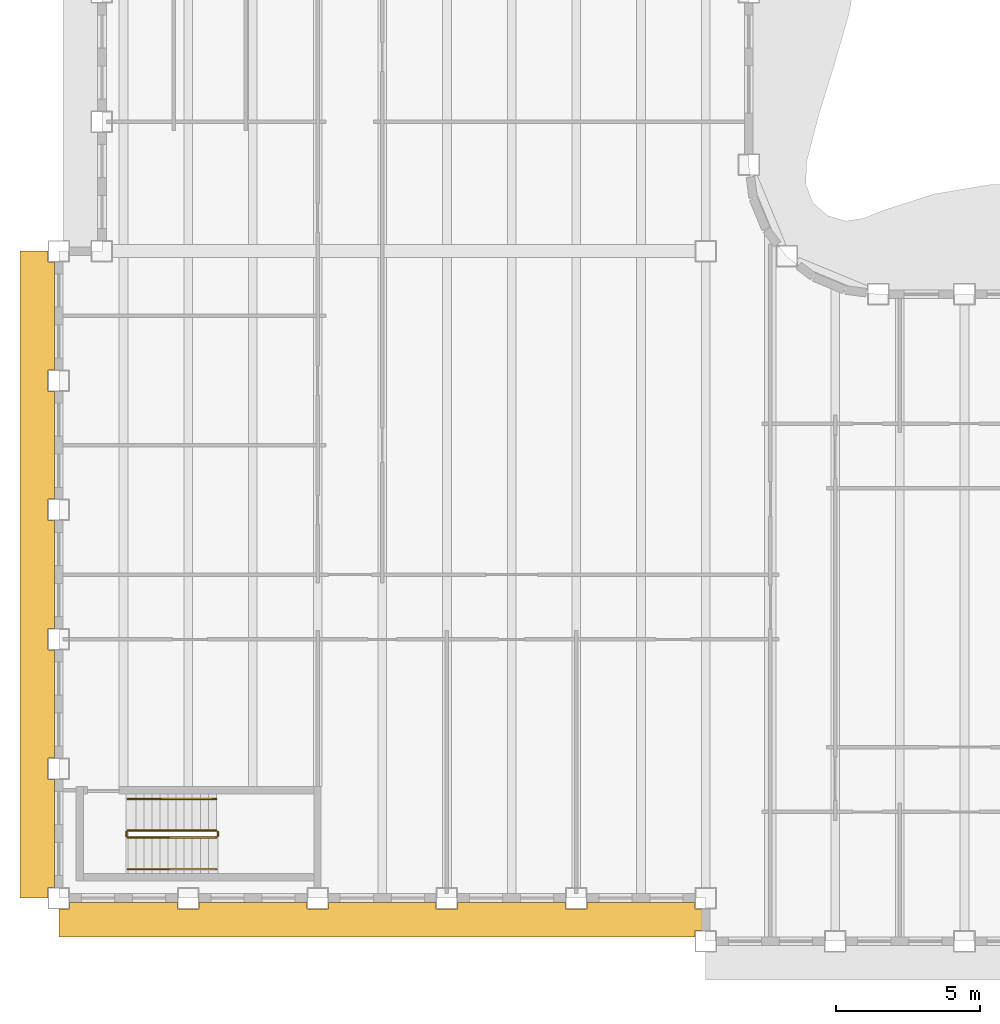
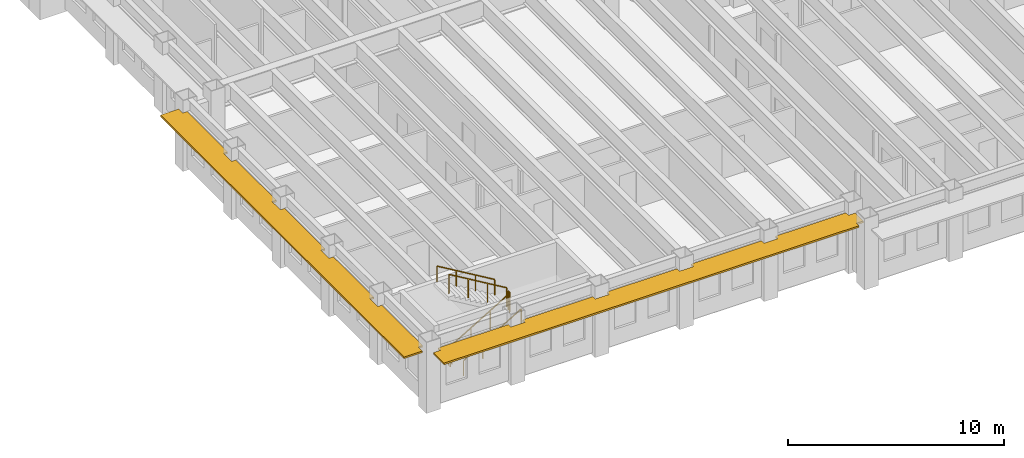
# One storey, part 12 of 17: 6 railings, 2 shading devices.
"""IFC4 building model written with IfcOpenShell, lengths in metres."""

from ifc_helpers import new_model, si_unit, direction, frame, origin, origin_2d, place, context, subcontext, project, spatial, polyline, rectangle, outline, extrude, material, layer, layer_set, type_object, element, save


model = new_model("IFC4")

# Units and contexts
model_context = context("Model", 3, precision=1e-05, world=origin(), true_north=direction((0.0, 1.0)))
body_context = subcontext(model_context, "Body", "Model", "MODEL_VIEW")
ifc_project = project(units=[si_unit("LENGTHUNIT", "METRE"), si_unit("AREAUNIT", "SQUARE_METRE"), si_unit("VOLUMEUNIT", "CUBIC_METRE"), si_unit("PLANEANGLEUNIT", "RADIAN"), si_unit("MASSUNIT", "GRAM", prefix="KILO")], contexts=[model_context])

# Site, building, storey
site_placement = place(None, origin())
site = spatial("IfcSite", under=ifc_project, at=site_placement, CompositionType="ELEMENT")
building_placement = place(site_placement, origin())
building = spatial("IfcBuilding", under=site, at=building_placement, Name="Sennacour Bend Tower", CompositionType="ELEMENT")
storey_placement = place(building_placement, frame((0.0, 0.0, 203.0)))
storey = spatial("IfcBuildingStorey", under=building, at=storey_placement, Name="L46", CompositionType="ELEMENT", Elevation=203.0)

# Railings
ifc_material_1 = material(Name="Stainless steel", Category="steel")
railing_type_1 = type_object("IfcRailingType", Name="RL-GUARD-1100", PredefinedType="GUARDRAIL", material=ifc_material_1)
railing_1_placement = place(storey_placement, frame((2.39990234375, 2.10009765625, 0.166748046875)))
element("IfcRailing", 1, at=railing_1_placement, inside=storey, type_object=railing_type_1, Name="L46 SK1 stair guard 1", PredefinedType="GUARDRAIL", context=body_context, shape_type="SweptSolid", body=[
    extrude(rectangle(XDim=0.048095703125, YDim=0.048095703125, at=origin_2d()), frame((0.0, 0.0, 1.076171875), z_axis=(0.859308565015, 0.0, 0.511457515432), x_axis=(0.0, 1.0, 0.0)), (0.0, 0.0, 1.0), 3.58447265625),
    extrude(rectangle(XDim=0.0419921875, YDim=0.0419921875, at=origin_2d()), origin(), (0.0, 0.0, 1.0), 1.052001953125),
    extrude(rectangle(XDim=0.0419921875, YDim=0.0419921875, at=origin_2d()), frame((1.026611328125, 0.0, 0.611083984375)), (0.0, 0.0, 1.0), 1.052001953125),
    extrude(rectangle(XDim=0.0419921875, YDim=0.0419921875, at=origin_2d()), frame((2.053466796875, 0.0, 1.22216796875)), (0.0, 0.0, 1.0), 1.052001953125),
    extrude(rectangle(XDim=0.0419921875, YDim=0.0419921875, at=origin_2d()), frame((3.080078125, 0.0, 1.833251953125)), (0.0, 0.0, 1.0), 1.052001953125),
])
railing_2_placement = place(storey_placement, frame((5.530029296875, 2.14990234375, 2.0)))
element("IfcRailing", 2, at=railing_2_placement, inside=storey, type_object=railing_type_1, Name="L46 SK1 stair guard 2", PredefinedType="GUARDRAIL", context=body_context, shape_type="SweptSolid", body=[
    extrude(rectangle(XDim=0.048095703125, YDim=0.048095703125, at=origin_2d()), frame((0.0, 0.0, 1.076171875), z_axis=(0.0, 1.0, 0.0), x_axis=(-1.0, 0.0, 0.0)), (0.0, 0.0, 1.0), 0.150146484375),
    extrude(rectangle(XDim=0.0419921875, YDim=0.0419921875, at=origin_2d()), origin(), (0.0, 0.0, 1.0), 1.052001953125),
    extrude(rectangle(XDim=0.0419921875, YDim=0.0419921875, at=origin_2d()), frame((0.0, 0.150146484375, 0.0)), (0.0, 0.0, 1.0), 1.052001953125),
])
railing_3_placement = place(storey_placement, frame((5.47998046875, 2.35009765625, 2.166748046875)))
element("IfcRailing", 3, at=railing_3_placement, inside=storey, type_object=railing_type_1, Name="L46 SK1 stair guard 3", PredefinedType="GUARDRAIL", context=body_context, shape_type="SweptSolid", body=[
    extrude(rectangle(XDim=0.048095703125, YDim=0.048095703125, at=origin_2d()), frame((0.0, 0.0, 1.076171875), z_axis=(-0.859308565015, 0.0, 0.511457515432), x_axis=(0.0, -1.0, 0.0)), (0.0, 0.0, 1.0), 3.58447265625),
    extrude(rectangle(XDim=0.0419921875, YDim=0.0419921875, at=origin_2d()), origin(), (0.0, 0.0, 1.0), 1.052001953125),
    extrude(rectangle(XDim=0.0419921875, YDim=0.0419921875, at=origin_2d()), frame((-1.026611328125, 0.0, 0.611083984375)), (0.0, 0.0, 1.0), 1.052001953125),
    extrude(rectangle(XDim=0.0419921875, YDim=0.0419921875, at=origin_2d()), frame((-2.053466796875, 0.0, 1.22216796875)), (0.0, 0.0, 1.0), 1.052001953125),
    extrude(rectangle(XDim=0.0419921875, YDim=0.0419921875, at=origin_2d()), frame((-3.080078125, 0.0, 1.833251953125)), (0.0, 0.0, 1.0), 1.052001953125),
])
railing_4_placement = place(storey_placement, frame((2.35009765625, 2.14990234375, 0.0)))
element("IfcRailing", 4, at=railing_4_placement, inside=storey, type_object=railing_type_1, Name="L46 SK1 stair guard 4", PredefinedType="GUARDRAIL", context=body_context, shape_type="SweptSolid", body=[
    extrude(rectangle(XDim=0.048095703125, YDim=0.048095703125, at=origin_2d()), frame((0.0, 0.0, 1.076171875), z_axis=(0.0, 1.0, 0.0), x_axis=(-1.0, 0.0, 0.0)), (0.0, 0.0, 1.0), 0.150146484375),
    extrude(rectangle(XDim=0.0419921875, YDim=0.0419921875, at=origin_2d()), origin(), (0.0, 0.0, 1.0), 1.052001953125),
    extrude(rectangle(XDim=0.0419921875, YDim=0.0419921875, at=origin_2d()), frame((0.0, 0.150146484375, 0.0)), (0.0, 0.0, 1.0), 1.052001953125),
])
railing_type_2 = type_object("IfcRailingType", Name="RL-HANDRAIL-900", PredefinedType="HANDRAIL", material=ifc_material_1)
railing_5_placement = place(storey_placement, frame((2.39990234375, 1.0, 0.166748046875)))
element("IfcRailing", 5, at=railing_5_placement, inside=storey, type_object=railing_type_2, Name="L46 SK1 stair handrail 1", PredefinedType="HANDRAIL", context=body_context, shape_type="SweptSolid", body=[
    extrude(rectangle(XDim=0.048095703125, YDim=0.048095703125, at=origin_2d()), frame((0.0, 0.0, 0.8759765625), z_axis=(0.859308565015, 0.0, 0.511457515432), x_axis=(0.0, 1.0, 0.0)), (0.0, 0.0, 1.0), 3.58447265625),
    extrude(rectangle(XDim=0.0419921875, YDim=0.0419921875, at=origin_2d()), origin(), (0.0, 0.0, 1.0), 0.851806640625),
    extrude(rectangle(XDim=0.0419921875, YDim=0.0419921875, at=origin_2d()), frame((1.026611328125, 0.0, 0.611083984375)), (0.0, 0.0, 1.0), 0.851806640625),
    extrude(rectangle(XDim=0.0419921875, YDim=0.0419921875, at=origin_2d()), frame((2.053466796875, 0.0, 1.22216796875)), (0.0, 0.0, 1.0), 0.851806640625),
    extrude(rectangle(XDim=0.0419921875, YDim=0.0419921875, at=origin_2d()), frame((3.080078125, 0.0, 1.833251953125)), (0.0, 0.0, 1.0), 0.851806640625),
])
railing_6_placement = place(storey_placement, frame((5.47998046875, 3.449951171875, 2.166748046875)))
element("IfcRailing", 6, at=railing_6_placement, inside=storey, type_object=railing_type_2, Name="L46 SK1 stair handrail 2", PredefinedType="HANDRAIL", context=body_context, shape_type="SweptSolid", body=[
    extrude(rectangle(XDim=0.048095703125, YDim=0.048095703125, at=origin_2d()), frame((0.0, 0.0, 0.8759765625), z_axis=(-0.859308565015, 0.0, 0.511457515432), x_axis=(0.0, -1.0, 0.0)), (0.0, 0.0, 1.0), 3.58447265625),
    extrude(rectangle(XDim=0.0419921875, YDim=0.0419921875, at=origin_2d()), origin(), (0.0, 0.0, 1.0), 0.851806640625),
    extrude(rectangle(XDim=0.0419921875, YDim=0.0419921875, at=origin_2d()), frame((-1.026611328125, 0.0, 0.611083984375)), (0.0, 0.0, 1.0), 0.851806640625),
    extrude(rectangle(XDim=0.0419921875, YDim=0.0419921875, at=origin_2d()), frame((-2.053466796875, 0.0, 1.22216796875)), (0.0, 0.0, 1.0), 0.851806640625),
    extrude(rectangle(XDim=0.0419921875, YDim=0.0419921875, at=origin_2d()), frame((-3.080078125, 0.0, 1.833251953125)), (0.0, 0.0, 1.0), 0.851806640625),
])

# Shading devices
ifc_material_2 = material(Name="Bronze anodised aluminium", Category="aluminium")
ifc_layer = layer(ifc_material_2, 0.10009765625, Name="Bronze anodised aluminium", Category="aluminium")
ifc_layer_set = layer_set([ifc_layer], Name="Bronze anodised aluminium")
shading_device_type = type_object("IfcShadingDeviceType", Name="SUNSHADE BAND STRAIGHT", PredefinedType="USERDEFINED", material=ifc_layer_set)
shading_device_1_placement = place(storey_placement, frame((0.0, 0.0, 3.056884765625)))
element("IfcShadingDevice", 7, at=shading_device_1_placement, inside=storey, type_object=shading_device_type, Name="Sunshade band L46 K outer face", ObjectType="SUNSHADE", PredefinedType="USERDEFINED", context=body_context, shape_type="SweptSolid", body=[
    extrude(outline(polyline([(-0.14990234375, 18.375), (-0.375, 18.375), (-0.375, 17.625), (-0.14990234375, 17.625), (-0.14990234375, 13.875), (-0.375, 13.875), (-0.375, 13.125), (-0.14990234375, 13.125), (-0.14990234375, 9.375), (-0.375, 9.375), (-0.375, 8.625), (-0.14990234375, 8.625), (-0.14990234375, 4.875), (-0.375, 4.875), (-0.375, 4.125), (-0.14990234375, 4.125), (-0.14990234375, 0.375), (-0.375, 0.375), (-0.375, 0.0), (-1.35009765625, 0.0), (-1.35009765625, 22.5), (-0.375, 22.5), (-0.375, 22.125), (-0.14990234375, 22.125), (-0.14990234375, 18.375)])), origin(), (0.0, 0.0, 1.0), 0.10009765625),
])
shading_device_2_placement = place(storey_placement, frame((0.0, 0.0, 3.056884765625)))
element("IfcShadingDevice", 8, at=shading_device_2_placement, inside=storey, type_object=shading_device_type, Name="Sunshade band L46 K outer face", ObjectType="SUNSHADE", PredefinedType="USERDEFINED", context=body_context, shape_type="SweptSolid", body=[
    extrude(outline(polyline([(4.125, -0.14990234375), (4.125, -0.375), (4.875, -0.375), (4.875, -0.14990234375), (8.625, -0.14990234375), (8.625, -0.375), (9.375, -0.375), (9.375, -0.14990234375), (13.125, -0.14990234375), (13.125, -0.375), (13.875, -0.375), (13.875, -0.14990234375), (17.625, -0.14990234375), (17.625, -0.375), (18.375, -0.375), (18.375, -0.14990234375), (22.125, -0.14990234375), (22.125, -0.375), (22.5, -0.375), (22.5, -1.125), (22.125, -1.125), (22.125, -1.35009765625), (0.0, -1.35009765625), (0.0, -0.375), (0.375, -0.375), (0.375, -0.14990234375), (4.125, -0.14990234375)])), origin(), (0.0, 0.0, 1.0), 0.10009765625),
])

save(model, "model.ifc")
